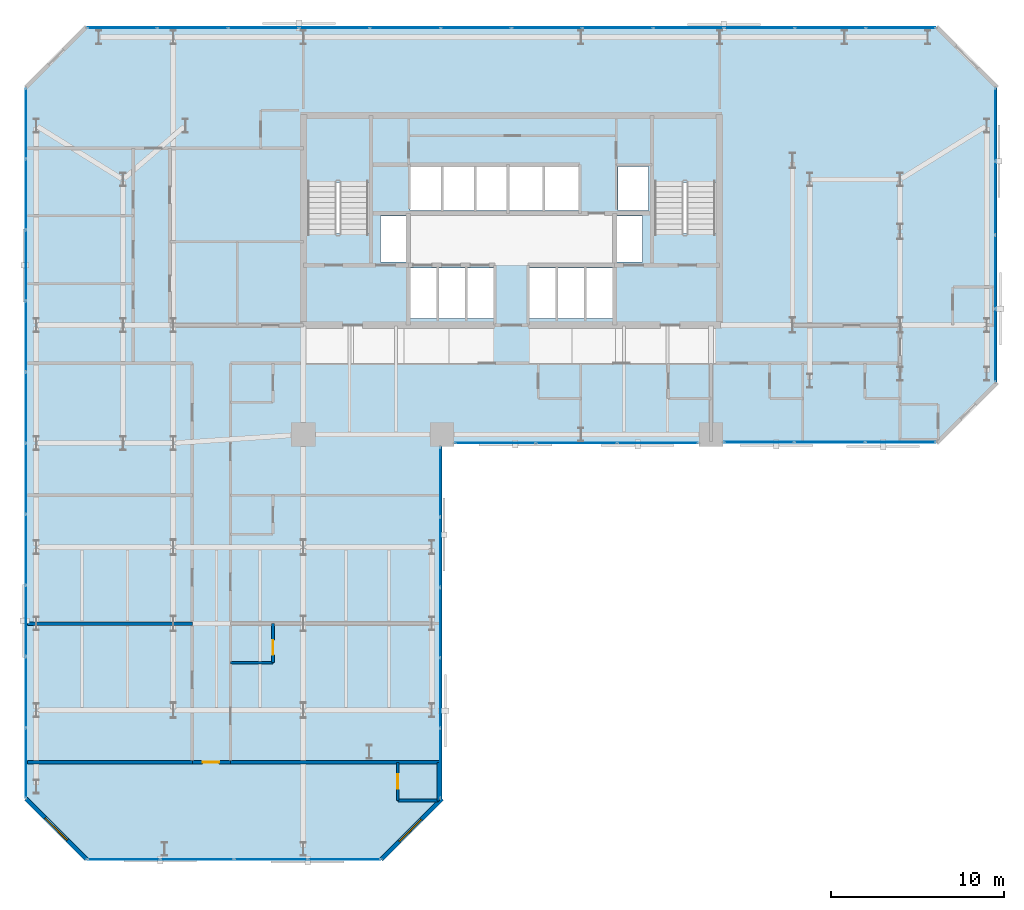
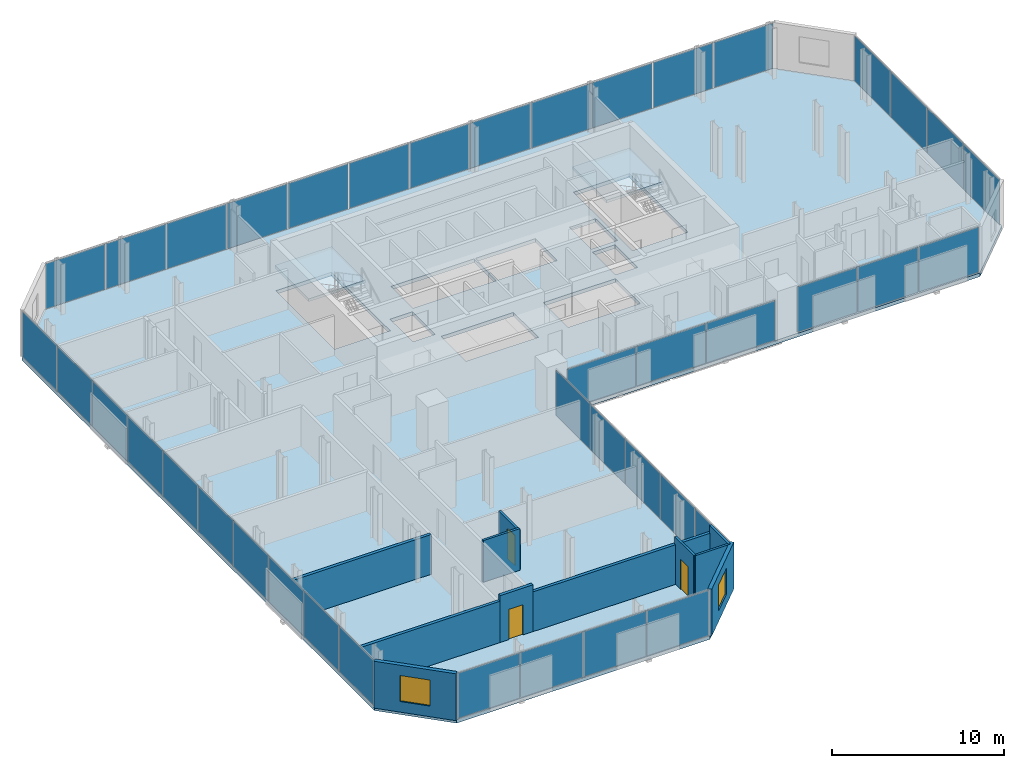
# One storey, part 28 of 33: 41 plates, 11 walls, 3 doors, 3 slabs, 2 windows, 5 openings, 9 elements without a shape of their own.
"""IFC4 building model written with IfcOpenShell, lengths in metres."""

from ifc_helpers import new_model, si_unit, direction, frame, frame_2d, origin, origin_2d, place, context, subcontext, project, spatial, polyline, rectangle, outline, extrude, material, layer, layer_set, type_object, element, fill, aggregate, save


model = new_model("IFC4")

# Units and contexts
model_context = context("Model", 3, precision=1e-05, world=origin(), true_north=direction((0.0, 1.0)))
body_context = subcontext(model_context, "Body", "Model", "MODEL_VIEW")
ifc_project = project(units=[si_unit("LENGTHUNIT", "METRE"), si_unit("AREAUNIT", "SQUARE_METRE"), si_unit("VOLUMEUNIT", "CUBIC_METRE"), si_unit("PLANEANGLEUNIT", "RADIAN"), si_unit("MASSUNIT", "GRAM", prefix="KILO")], contexts=[model_context])

# Site, building, storey
site_placement = place(None, origin())
site = spatial("IfcSite", under=ifc_project, at=site_placement, CompositionType="ELEMENT")
building_placement = place(site_placement, origin())
building = spatial("IfcBuilding", under=site, at=building_placement, Name="Catumbela Crestline Tower", CompositionType="ELEMENT")
storey_placement = place(building_placement, frame((0.0, 0.0, 58.2)))
storey = spatial("IfcBuildingStorey", under=building, at=storey_placement, Name="L14", CompositionType="ELEMENT", Elevation=58.2)

# Curtain wall, plates
ifc_material_1 = material(Name="Aluminium alloy AW-6060-T66", Category="aluminium")
ifc_layer_1 = layer(ifc_material_1, 0.18, Name="Aluminium alloy AW-6060-T66")
ifc_layer_set_1 = layer_set([ifc_layer_1], Name="Aluminium alloy AW-6060-T66")
curtain_wall_type = type_object("IfcCurtainWallType", Name="CWU-Z1", PredefinedType="USERDEFINED", material=ifc_layer_set_1)
curtain_wall_1_placement = place(storey_placement, origin())
curtain_wall_1 = element("IfcCurtainWall", 1, at=curtain_wall_1_placement, inside=storey, type_object=curtain_wall_type, Name="L14 Unitised Curtain Wall CW-L14-E0S1", ObjectType="UNITISED", PredefinedType="USERDEFINED")
ifc_material_2 = material(Name="Low-E laminated solar-control double glazing", Category="glass")
ifc_layer_2 = layer(ifc_material_2, 0.034, Name="Low-E laminated solar-control double glazing")
ifc_layer_set_2 = layer_set([ifc_layer_2], Name="Low-E laminated solar-control double glazing")
plate_type = type_object("IfcPlateType", Name="PNL-GLZ-Z1", PredefinedType="CURTAIN_PANEL", material=ifc_layer_set_2)
plate_1_placement = place(storey_placement, frame((5.6412, 0.0, 0.06), z_axis=(0.0, 0.0, 1.0), x_axis=(1.0, 0.0, 0.0)))
plate_1 = element("IfcPlate", 2, at=plate_1_placement, type_object=plate_type, Name="CWU-Z1 panel 1.1", PredefinedType="CURTAIN_PANEL", context=body_context, shape_type="SweptSolid", body=[
    extrude(rectangle(XDim=4.1525, YDim=0.034, at=origin_2d()), origin(), (0.0, 0.0, 1.0), 3.21),
])
plate_2_placement = place(storey_placement, frame((9.875, 0.0, 0.06), z_axis=(0.0, 0.0, 1.0), x_axis=(1.0, 0.0, 0.0)))
plate_2 = element("IfcPlate", 3, at=plate_2_placement, type_object=plate_type, Name="CWU-Z1 panel 2.1", PredefinedType="CURTAIN_PANEL", context=body_context, shape_type="SweptSolid", body=[
    extrude(rectangle(XDim=4.185, YDim=0.034, at=origin_2d()), origin(), (0.0, 0.0, 1.0), 3.21),
])
plate_3_placement = place(storey_placement, frame((14.125, 0.0, 0.06), z_axis=(0.0, 0.0, 1.0), x_axis=(1.0, 0.0, 0.0)))
plate_3 = element("IfcPlate", 4, at=plate_3_placement, type_object=plate_type, Name="CWU-Z1 panel 3.1", PredefinedType="CURTAIN_PANEL", context=body_context, shape_type="SweptSolid", body=[
    extrude(rectangle(XDim=4.185, YDim=0.034, at=origin_2d()), origin(), (0.0, 0.0, 1.0), 3.21),
])
plate_4_placement = place(storey_placement, frame((18.3588, 0.0, 0.06), z_axis=(0.0, 0.0, 1.0), x_axis=(1.0, 0.0, 0.0)))
plate_4 = element("IfcPlate", 5, at=plate_4_placement, type_object=plate_type, Name="CWU-Z1 panel 4.1", PredefinedType="CURTAIN_PANEL", context=body_context, shape_type="SweptSolid", body=[
    extrude(rectangle(XDim=4.1525, YDim=0.034, at=origin_2d()), origin(), (0.0, 0.0, 1.0), 3.21),
])
aggregate(curtain_wall_1, [plate_1, plate_2, plate_3, plate_4])

curtain_wall_2_placement = place(storey_placement, origin())
curtain_wall_2 = element("IfcCurtainWall", 6, at=curtain_wall_2_placement, inside=storey, type_object=curtain_wall_type, Name="L14 Unitised Curtain Wall CW-L14-E2S1", ObjectType="UNITISED", PredefinedType="USERDEFINED")
plate_5_placement = place(storey_placement, frame((23.9, 5.5462, 0.06), z_axis=(0.0, 0.0, 1.0), x_axis=(0.0, 1.0, 0.0)))
plate_5 = element("IfcPlate", 7, at=plate_5_placement, type_object=plate_type, Name="CWU-Z1 panel 1.1", PredefinedType="CURTAIN_PANEL", context=body_context, shape_type="SweptSolid", body=[
    extrude(rectangle(XDim=3.9625, YDim=0.034, at=origin_2d()), origin(), (0.0, 0.0, 1.0), 3.21),
])
plate_6_placement = place(storey_placement, frame((23.9, 9.59, 0.06), z_axis=(0.0, 0.0, 1.0), x_axis=(0.0, 1.0, 0.0)))
plate_6 = element("IfcPlate", 8, at=plate_6_placement, type_object=plate_type, Name="CWU-Z1 panel 2.1", PredefinedType="CURTAIN_PANEL", context=body_context, shape_type="SweptSolid", body=[
    extrude(rectangle(XDim=3.995, YDim=0.034, at=origin_2d()), origin(), (0.0, 0.0, 1.0), 3.21),
])
plate_7_placement = place(storey_placement, frame((23.9, 13.65, 0.06), z_axis=(0.0, 0.0, 1.0), x_axis=(0.0, 1.0, 0.0)))
plate_7 = element("IfcPlate", 9, at=plate_7_placement, type_object=plate_type, Name="CWU-Z1 panel 3.1", PredefinedType="CURTAIN_PANEL", context=body_context, shape_type="SweptSolid", body=[
    extrude(rectangle(XDim=3.995, YDim=0.034, at=origin_2d()), origin(), (0.0, 0.0, 1.0), 3.21),
])
plate_8_placement = place(storey_placement, frame((23.9, 17.71, 0.06), z_axis=(0.0, 0.0, 1.0), x_axis=(0.0, 1.0, 0.0)))
plate_8 = element("IfcPlate", 10, at=plate_8_placement, type_object=plate_type, Name="CWU-Z1 panel 4.1", PredefinedType="CURTAIN_PANEL", context=body_context, shape_type="SweptSolid", body=[
    extrude(rectangle(XDim=3.995, YDim=0.034, at=origin_2d()), origin(), (0.0, 0.0, 1.0), 3.21),
])
plate_9_placement = place(storey_placement, frame((23.9, 21.7538, 0.06), z_axis=(0.0, 0.0, 1.0), x_axis=(0.0, 1.0, 0.0)))
plate_9 = element("IfcPlate", 11, at=plate_9_placement, type_object=plate_type, Name="CWU-Z1 panel 5.1", PredefinedType="CURTAIN_PANEL", context=body_context, shape_type="SweptSolid", body=[
    extrude(rectangle(XDim=3.9625, YDim=0.034, at=origin_2d()), origin(), (0.0, 0.0, 1.0), 3.21),
])
aggregate(curtain_wall_2, [plate_5, plate_6, plate_7, plate_8, plate_9])

curtain_wall_3_placement = place(storey_placement, origin())
curtain_wall_3 = element("IfcCurtainWall", 12, at=curtain_wall_3_placement, inside=storey, type_object=curtain_wall_type, Name="L14 Unitised Curtain Wall CW-L14-E3S1", ObjectType="UNITISED", PredefinedType="USERDEFINED")
plate_10_placement = place(storey_placement, frame((27.0662, 24.0, 0.06), z_axis=(0.0, 0.0, 1.0), x_axis=(1.0, 0.0, 0.0)))
plate_10 = element("IfcPlate", 13, at=plate_10_placement, type_object=plate_type, Name="CWU-Z1 panel 1.1", PredefinedType="CURTAIN_PANEL", context=body_context, shape_type="SweptSolid", body=[
    extrude(rectangle(XDim=4.6025, YDim=0.034, at=origin_2d()), origin(), (0.0, 0.0, 1.0), 2.81),
])
plate_11_placement = place(storey_placement, frame((31.75, 24.0, 0.06), z_axis=(0.0, 0.0, 1.0), x_axis=(1.0, 0.0, 0.0)))
plate_11 = element("IfcPlate", 14, at=plate_11_placement, type_object=plate_type, Name="CWU-Z1 panel 2.1", PredefinedType="CURTAIN_PANEL", context=body_context, shape_type="SweptSolid", body=[
    extrude(rectangle(XDim=4.635, YDim=0.034, at=origin_2d()), origin(), (0.0, 0.0, 1.0), 2.81),
])
plate_12_placement = place(storey_placement, frame((36.4338, 24.0, 0.06), z_axis=(0.0, 0.0, 1.0), x_axis=(1.0, 0.0, 0.0)))
plate_12 = element("IfcPlate", 15, at=plate_12_placement, type_object=plate_type, Name="CWU-Z1 panel 3.1", PredefinedType="CURTAIN_PANEL", context=body_context, shape_type="SweptSolid", body=[
    extrude(rectangle(XDim=4.6025, YDim=0.034, at=origin_2d()), origin(), (0.0, 0.0, 1.0), 2.81),
])
aggregate(curtain_wall_3, [plate_10, plate_11, plate_12])

curtain_wall_4_placement = place(storey_placement, origin())
curtain_wall_4 = element("IfcCurtainWall", 16, at=curtain_wall_4_placement, inside=storey, type_object=curtain_wall_type, Name="L14 Unitised Curtain Wall CW-L14-E3S2", ObjectType="UNITISED", PredefinedType="USERDEFINED")
plate_13_placement = place(storey_placement, frame((42.2662, 24.05, 0.06), z_axis=(0.0, 0.0, 1.0), x_axis=(1.0, 0.0, 0.0)))
plate_13 = element("IfcPlate", 17, at=plate_13_placement, type_object=plate_type, Name="CWU-Z1 panel 1.1", PredefinedType="CURTAIN_PANEL", context=body_context, shape_type="SweptSolid", body=[
    extrude(rectangle(XDim=4.0025, YDim=0.034, at=origin_2d()), origin(), (0.0, 0.0, 1.0), 3.21),
])
plate_14_placement = place(storey_placement, frame((46.35, 24.05, 0.06), z_axis=(0.0, 0.0, 1.0), x_axis=(1.0, 0.0, 0.0)))
plate_14 = element("IfcPlate", 18, at=plate_14_placement, type_object=plate_type, Name="CWU-Z1 panel 2.1", PredefinedType="CURTAIN_PANEL", context=body_context, shape_type="SweptSolid", body=[
    extrude(rectangle(XDim=4.035, YDim=0.034, at=origin_2d()), origin(), (0.0, 0.0, 1.0), 3.21),
])
plate_15_placement = place(storey_placement, frame((50.4338, 24.05, 0.06), z_axis=(0.0, 0.0, 1.0), x_axis=(1.0, 0.0, 0.0)))
plate_15 = element("IfcPlate", 19, at=plate_15_placement, type_object=plate_type, Name="CWU-Z1 panel 3.1", PredefinedType="CURTAIN_PANEL", context=body_context, shape_type="SweptSolid", body=[
    extrude(rectangle(XDim=4.0025, YDim=0.034, at=origin_2d()), origin(), (0.0, 0.0, 1.0), 3.21),
])
aggregate(curtain_wall_4, [plate_13, plate_14, plate_15])

curtain_wall_5_placement = place(storey_placement, origin())
curtain_wall_5 = element("IfcCurtainWall", 20, at=curtain_wall_5_placement, inside=storey, type_object=curtain_wall_type, Name="L14 Unitised Curtain Wall CW-L14-E5S1", ObjectType="UNITISED", PredefinedType="USERDEFINED")
plate_16_placement = place(storey_placement, frame((55.9, 29.6412, 0.06), z_axis=(0.0, 0.0, 1.0), x_axis=(0.0, 1.0, 0.0)))
plate_16 = element("IfcPlate", 21, at=plate_16_placement, type_object=plate_type, Name="CWU-Z1 panel 1.1", PredefinedType="CURTAIN_PANEL", context=body_context, shape_type="SweptSolid", body=[
    extrude(rectangle(XDim=4.1525, YDim=0.034, at=origin_2d()), origin(), (0.0, 0.0, 1.0), 3.21),
])
plate_17_placement = place(storey_placement, frame((55.9, 33.875, 0.06), z_axis=(0.0, 0.0, 1.0), x_axis=(0.0, 1.0, 0.0)))
plate_17 = element("IfcPlate", 22, at=plate_17_placement, type_object=plate_type, Name="CWU-Z1 panel 2.1", PredefinedType="CURTAIN_PANEL", context=body_context, shape_type="SweptSolid", body=[
    extrude(rectangle(XDim=4.185, YDim=0.034, at=origin_2d()), origin(), (0.0, 0.0, 1.0), 3.21),
])
plate_18_placement = place(storey_placement, frame((55.9, 38.125, 0.06), z_axis=(0.0, 0.0, 1.0), x_axis=(0.0, 1.0, 0.0)))
plate_18 = element("IfcPlate", 23, at=plate_18_placement, type_object=plate_type, Name="CWU-Z1 panel 3.1", PredefinedType="CURTAIN_PANEL", context=body_context, shape_type="SweptSolid", body=[
    extrude(rectangle(XDim=4.185, YDim=0.034, at=origin_2d()), origin(), (0.0, 0.0, 1.0), 3.21),
])
plate_19_placement = place(storey_placement, frame((55.9, 42.3588, 0.06), z_axis=(0.0, 0.0, 1.0), x_axis=(0.0, 1.0, 0.0)))
plate_19 = element("IfcPlate", 24, at=plate_19_placement, type_object=plate_type, Name="CWU-Z1 panel 4.1", PredefinedType="CURTAIN_PANEL", context=body_context, shape_type="SweptSolid", body=[
    extrude(rectangle(XDim=4.1525, YDim=0.034, at=origin_2d()), origin(), (0.0, 0.0, 1.0), 3.21),
])
aggregate(curtain_wall_5, [plate_16, plate_17, plate_18, plate_19])

curtain_wall_6_placement = place(storey_placement, origin())
curtain_wall_6 = element("IfcCurtainWall", 25, at=curtain_wall_6_placement, inside=storey, type_object=curtain_wall_type, Name="L14 Unitised Curtain Wall CW-L14-E7S1", ObjectType="UNITISED", PredefinedType="USERDEFINED")
plate_20_placement = place(storey_placement, frame((50.4421, 47.95, 0.06), z_axis=(0.0, 0.0, 1.0), x_axis=(-1.0, 0.0, 0.0)))
plate_20 = element("IfcPlate", 26, at=plate_20_placement, type_object=plate_type, Name="CWU-Z1 panel 1.1", PredefinedType="CURTAIN_PANEL", context=body_context, shape_type="SweptSolid", body=[
    extrude(rectangle(XDim=3.9858, YDim=0.034, at=origin_2d()), origin(), (0.0, 0.0, 1.0), 3.21),
])
plate_21_placement = place(storey_placement, frame((46.375, 47.95, 0.06), z_axis=(0.0, 0.0, 1.0), x_axis=(-1.0, 0.0, 0.0)))
plate_21 = element("IfcPlate", 27, at=plate_21_placement, type_object=plate_type, Name="CWU-Z1 panel 2.1", PredefinedType="CURTAIN_PANEL", context=body_context, shape_type="SweptSolid", body=[
    extrude(rectangle(XDim=4.0183, YDim=0.034, at=origin_2d()), origin(), (0.0, 0.0, 1.0), 3.21),
])
plate_22_placement = place(storey_placement, frame((42.2917, 47.95, 0.06), z_axis=(0.0, 0.0, 1.0), x_axis=(-1.0, 0.0, 0.0)))
plate_22 = element("IfcPlate", 28, at=plate_22_placement, type_object=plate_type, Name="CWU-Z1 panel 3.1", PredefinedType="CURTAIN_PANEL", context=body_context, shape_type="SweptSolid", body=[
    extrude(rectangle(XDim=4.0183, YDim=0.034, at=origin_2d()), origin(), (0.0, 0.0, 1.0), 3.21),
])
plate_23_placement = place(storey_placement, frame((38.2083, 47.95, 0.06), z_axis=(0.0, 0.0, 1.0), x_axis=(-1.0, 0.0, 0.0)))
plate_23 = element("IfcPlate", 29, at=plate_23_placement, type_object=plate_type, Name="CWU-Z1 panel 4.1", PredefinedType="CURTAIN_PANEL", context=body_context, shape_type="SweptSolid", body=[
    extrude(rectangle(XDim=4.0183, YDim=0.034, at=origin_2d()), origin(), (0.0, 0.0, 1.0), 3.21),
])
plate_24_placement = place(storey_placement, frame((34.125, 47.95, 0.06), z_axis=(0.0, 0.0, 1.0), x_axis=(-1.0, 0.0, 0.0)))
plate_24 = element("IfcPlate", 30, at=plate_24_placement, type_object=plate_type, Name="CWU-Z1 panel 5.1", PredefinedType="CURTAIN_PANEL", context=body_context, shape_type="SweptSolid", body=[
    extrude(rectangle(XDim=4.0183, YDim=0.034, at=origin_2d()), origin(), (0.0, 0.0, 1.0), 3.21),
])
plate_25_placement = place(storey_placement, frame((30.0417, 47.95, 0.06), z_axis=(0.0, 0.0, 1.0), x_axis=(-1.0, 0.0, 0.0)))
plate_25 = element("IfcPlate", 31, at=plate_25_placement, type_object=plate_type, Name="CWU-Z1 panel 6.1", PredefinedType="CURTAIN_PANEL", context=body_context, shape_type="SweptSolid", body=[
    extrude(rectangle(XDim=4.0183, YDim=0.034, at=origin_2d()), origin(), (0.0, 0.0, 1.0), 3.21),
])
plate_26_placement = place(storey_placement, frame((25.9583, 47.95, 0.06), z_axis=(0.0, 0.0, 1.0), x_axis=(-1.0, 0.0, 0.0)))
plate_26 = element("IfcPlate", 32, at=plate_26_placement, type_object=plate_type, Name="CWU-Z1 panel 7.1", PredefinedType="CURTAIN_PANEL", context=body_context, shape_type="SweptSolid", body=[
    extrude(rectangle(XDim=4.0183, YDim=0.034, at=origin_2d()), origin(), (0.0, 0.0, 1.0), 3.21),
])
plate_27_placement = place(storey_placement, frame((21.875, 47.95, 0.06), z_axis=(0.0, 0.0, 1.0), x_axis=(-1.0, 0.0, 0.0)))
plate_27 = element("IfcPlate", 33, at=plate_27_placement, type_object=plate_type, Name="CWU-Z1 panel 8.1", PredefinedType="CURTAIN_PANEL", context=body_context, shape_type="SweptSolid", body=[
    extrude(rectangle(XDim=4.0183, YDim=0.034, at=origin_2d()), origin(), (0.0, 0.0, 1.0), 3.21),
])
plate_28_placement = place(storey_placement, frame((17.7917, 47.95, 0.06), z_axis=(0.0, 0.0, 1.0), x_axis=(-1.0, 0.0, 0.0)))
plate_28 = element("IfcPlate", 34, at=plate_28_placement, type_object=plate_type, Name="CWU-Z1 panel 9.1", PredefinedType="CURTAIN_PANEL", context=body_context, shape_type="SweptSolid", body=[
    extrude(rectangle(XDim=4.0183, YDim=0.034, at=origin_2d()), origin(), (0.0, 0.0, 1.0), 3.21),
])
plate_29_placement = place(storey_placement, frame((13.7083, 47.95, 0.06), z_axis=(0.0, 0.0, 1.0), x_axis=(-1.0, 0.0, 0.0)))
plate_29 = element("IfcPlate", 35, at=plate_29_placement, type_object=plate_type, Name="CWU-Z1 panel 10.1", PredefinedType="CURTAIN_PANEL", context=body_context, shape_type="SweptSolid", body=[
    extrude(rectangle(XDim=4.0183, YDim=0.034, at=origin_2d()), origin(), (0.0, 0.0, 1.0), 3.21),
])
plate_30_placement = place(storey_placement, frame((9.625, 47.95, 0.06), z_axis=(0.0, 0.0, 1.0), x_axis=(-1.0, 0.0, 0.0)))
plate_30 = element("IfcPlate", 36, at=plate_30_placement, type_object=plate_type, Name="CWU-Z1 panel 11.1", PredefinedType="CURTAIN_PANEL", context=body_context, shape_type="SweptSolid", body=[
    extrude(rectangle(XDim=4.0183, YDim=0.034, at=origin_2d()), origin(), (0.0, 0.0, 1.0), 3.21),
])
plate_31_placement = place(storey_placement, frame((5.5579, 47.95, 0.06), z_axis=(0.0, 0.0, 1.0), x_axis=(-1.0, 0.0, 0.0)))
plate_31 = element("IfcPlate", 37, at=plate_31_placement, type_object=plate_type, Name="CWU-Z1 panel 12.1", PredefinedType="CURTAIN_PANEL", context=body_context, shape_type="SweptSolid", body=[
    extrude(rectangle(XDim=3.9858, YDim=0.034, at=origin_2d()), origin(), (0.0, 0.0, 1.0), 3.21),
])
aggregate(curtain_wall_6, [plate_20, plate_21, plate_22, plate_23, plate_24, plate_25, plate_26, plate_27, plate_28, plate_29, plate_30, plate_31])

curtain_wall_7_placement = place(storey_placement, origin())
curtain_wall_7 = element("IfcCurtainWall", 38, at=curtain_wall_7_placement, inside=storey, type_object=curtain_wall_type, Name="L14 Unitised Curtain Wall CW-L14-E9S1", ObjectType="UNITISED", PredefinedType="USERDEFINED")
plate_32_placement = place(storey_placement, frame((0.0, 42.4338, 0.06), z_axis=(0.0, 0.0, 1.0), x_axis=(0.0, -1.0, 0.0)))
plate_32 = element("IfcPlate", 39, at=plate_32_placement, type_object=plate_type, Name="CWU-Z1 panel 1.1", PredefinedType="CURTAIN_PANEL", context=body_context, shape_type="SweptSolid", body=[
    extrude(rectangle(XDim=4.0025, YDim=0.034, at=origin_2d()), origin(), (0.0, 0.0, 1.0), 3.21),
])
plate_33_placement = place(storey_placement, frame((0.0, 38.35, 0.06), z_axis=(0.0, 0.0, 1.0), x_axis=(0.0, -1.0, 0.0)))
plate_33 = element("IfcPlate", 40, at=plate_33_placement, type_object=plate_type, Name="CWU-Z1 panel 2.1", PredefinedType="CURTAIN_PANEL", context=body_context, shape_type="SweptSolid", body=[
    extrude(rectangle(XDim=4.035, YDim=0.034, at=origin_2d()), origin(), (0.0, 0.0, 1.0), 3.21),
])
plate_34_placement = place(storey_placement, frame((0.0, 34.25, 0.06), z_axis=(0.0, 0.0, 1.0), x_axis=(0.0, -1.0, 0.0)))
plate_34 = element("IfcPlate", 41, at=plate_34_placement, type_object=plate_type, Name="CWU-Z1 panel 3.1", PredefinedType="CURTAIN_PANEL", context=body_context, shape_type="SweptSolid", body=[
    extrude(rectangle(XDim=4.035, YDim=0.034, at=origin_2d()), origin(), (0.0, 0.0, 1.0), 3.21),
])
plate_35_placement = place(storey_placement, frame((0.0, 30.15, 0.06), z_axis=(0.0, 0.0, 1.0), x_axis=(0.0, -1.0, 0.0)))
plate_35 = element("IfcPlate", 42, at=plate_35_placement, type_object=plate_type, Name="CWU-Z1 panel 4.1", PredefinedType="CURTAIN_PANEL", context=body_context, shape_type="SweptSolid", body=[
    extrude(rectangle(XDim=4.035, YDim=0.034, at=origin_2d()), origin(), (0.0, 0.0, 1.0), 3.21),
])
plate_36_placement = place(storey_placement, frame((0.0, 26.05, 0.06), z_axis=(0.0, 0.0, 1.0), x_axis=(0.0, -1.0, 0.0)))
plate_36 = element("IfcPlate", 43, at=plate_36_placement, type_object=plate_type, Name="CWU-Z1 panel 5.1", PredefinedType="CURTAIN_PANEL", context=body_context, shape_type="SweptSolid", body=[
    extrude(rectangle(XDim=4.035, YDim=0.034, at=origin_2d()), origin(), (0.0, 0.0, 1.0), 3.21),
])
plate_37_placement = place(storey_placement, frame((0.0, 21.95, 0.06), z_axis=(0.0, 0.0, 1.0), x_axis=(0.0, -1.0, 0.0)))
plate_37 = element("IfcPlate", 44, at=plate_37_placement, type_object=plate_type, Name="CWU-Z1 panel 6.1", PredefinedType="CURTAIN_PANEL", context=body_context, shape_type="SweptSolid", body=[
    extrude(rectangle(XDim=4.035, YDim=0.034, at=origin_2d()), origin(), (0.0, 0.0, 1.0), 3.21),
])
plate_38_placement = place(storey_placement, frame((0.0, 17.85, 0.06), z_axis=(0.0, 0.0, 1.0), x_axis=(0.0, -1.0, 0.0)))
plate_38 = element("IfcPlate", 45, at=plate_38_placement, type_object=plate_type, Name="CWU-Z1 panel 7.1", PredefinedType="CURTAIN_PANEL", context=body_context, shape_type="SweptSolid", body=[
    extrude(rectangle(XDim=4.035, YDim=0.034, at=origin_2d()), origin(), (0.0, 0.0, 1.0), 3.21),
])
plate_39_placement = place(storey_placement, frame((0.0, 13.75, 0.06), z_axis=(0.0, 0.0, 1.0), x_axis=(0.0, -1.0, 0.0)))
plate_39 = element("IfcPlate", 46, at=plate_39_placement, type_object=plate_type, Name="CWU-Z1 panel 8.1", PredefinedType="CURTAIN_PANEL", context=body_context, shape_type="SweptSolid", body=[
    extrude(rectangle(XDim=4.035, YDim=0.034, at=origin_2d()), origin(), (0.0, 0.0, 1.0), 3.21),
])
plate_40_placement = place(storey_placement, frame((0.0, 9.65, 0.06), z_axis=(0.0, 0.0, 1.0), x_axis=(0.0, -1.0, 0.0)))
plate_40 = element("IfcPlate", 47, at=plate_40_placement, type_object=plate_type, Name="CWU-Z1 panel 9.1", PredefinedType="CURTAIN_PANEL", context=body_context, shape_type="SweptSolid", body=[
    extrude(rectangle(XDim=4.035, YDim=0.034, at=origin_2d()), origin(), (0.0, 0.0, 1.0), 3.21),
])
plate_41_placement = place(storey_placement, frame((0.0, 5.5662, 0.06), z_axis=(0.0, 0.0, 1.0), x_axis=(0.0, -1.0, 0.0)))
plate_41 = element("IfcPlate", 48, at=plate_41_placement, type_object=plate_type, Name="CWU-Z1 panel 10.1", PredefinedType="CURTAIN_PANEL", context=body_context, shape_type="SweptSolid", body=[
    extrude(rectangle(XDim=4.0025, YDim=0.034, at=origin_2d()), origin(), (0.0, 0.0, 1.0), 3.21),
])
aggregate(curtain_wall_7, [plate_32, plate_33, plate_34, plate_35, plate_36, plate_37, plate_38, plate_39, plate_40, plate_41])

# Stair, slab
ifc_material_3 = material(Name="Concrete C45/55", Category="concrete")
stair_type = type_object("IfcStairType", Name="ST-DLG", PredefinedType="HALF_TURN_STAIR", material=ifc_material_3)
stair_1_placement = place(storey_placement, origin())
stair_1 = element("IfcStair", 49, at=stair_1_placement, inside=storey, type_object=stair_type, Name="L14 West Core Pressurised Exit Stair ST-01", PredefinedType="HALF_TURN_STAIR")
ifc_layer_3 = layer(ifc_material_3, 0.2, Name="Concrete C45/55")
ifc_layer_set_3 = layer_set([ifc_layer_3], Name="Concrete C45/55")
slab_type_1 = type_object("IfcSlabType", Name="SL-LND", PredefinedType="LANDING", material=ifc_layer_set_3)
slab_1_placement = place(storey_placement, frame((0.0, 0.0, 1.6)))
slab_1 = element("IfcSlab", 50, at=slab_1_placement, type_object=slab_type_1, Name="ST-01 landing 1", PredefinedType="LANDING", context=body_context, shape_type="SweptSolid", body=[
    extrude(outline(polyline([(19.91, 39.02), (19.91, 42.96), (16.09, 42.96), (16.09, 39.02), (19.91, 39.02)])), origin(), (0.0, 0.0, 1.0), 0.2),
])
aggregate(stair_1, [slab_1])

stair_2_placement = place(storey_placement, origin())
stair_2 = element("IfcStair", 51, at=stair_2_placement, inside=storey, type_object=stair_type, Name="L14 East Core Pressurised Exit Stair ST-02", PredefinedType="HALF_TURN_STAIR")
slab_2_placement = place(storey_placement, frame((0.0, 0.0, 1.6)))
slab_2 = element("IfcSlab", 52, at=slab_2_placement, type_object=slab_type_1, Name="ST-02 landing 1", PredefinedType="LANDING", context=body_context, shape_type="SweptSolid", body=[
    extrude(outline(polyline([(39.91, 39.02), (39.91, 42.96), (36.09, 42.96), (36.09, 39.02), (39.91, 39.02)])), origin(), (0.0, 0.0, 1.0), 0.2),
])
aggregate(stair_2, [slab_2])

# Slab
ifc_layer_4 = layer(ifc_material_3, 0.26, Name="Concrete C45/55")
ifc_layer_set_4 = layer_set([ifc_layer_4], Name="Concrete C45/55")
slab_type_2 = type_object("IfcSlabType", Name="SL-260", PredefinedType="FLOOR", material=ifc_layer_set_4)
slab_3_placement = place(storey_placement, frame((0.0, 0.0, -0.26)))
element("IfcSlab", 53, at=slab_3_placement, inside=storey, type_object=slab_type_2, Name="L14 Structural Floor Slab", PredefinedType="FLOOR", context=body_context, shape_type="SweptSolid", body=[
    extrude(outline(polyline([(3.5, 0.0), (20.5, 0.0), (24.0, 3.5), (24.0, 24.0), (52.5, 24.0), (56.0, 27.5), (56.0, 44.5), (52.5, 48.0), (3.5, 48.0), (0.0, 44.5), (0.0, 3.5), (3.5, 0.0)]), holes=[polyline([(16.13, 36.08), (19.87, 36.08), (19.87, 42.92), (16.13, 42.92), (16.13, 36.08)]), polyline([(36.13, 36.08), (39.87, 36.08), (39.87, 42.92), (36.13, 42.92), (36.13, 36.08)]), polyline([(22.15, 31.2), (27.0, 31.2), (27.0, 34.1), (22.15, 34.1), (22.15, 31.2)]), polyline([(29.0, 31.2), (33.85, 31.2), (33.85, 34.1), (29.0, 34.1), (29.0, 31.2)]), polyline([(22.15, 37.4), (27.75, 37.4), (27.75, 39.95), (22.15, 39.95), (22.15, 37.4)]), polyline([(27.85, 37.4), (31.85, 37.4), (31.85, 39.95), (27.85, 39.95), (27.85, 37.4)]), polyline([(20.45, 34.45), (21.95, 34.45), (21.95, 37.1), (20.45, 37.1), (20.45, 34.45)]), polyline([(34.05, 34.45), (35.55, 34.45), (35.55, 37.1), (34.05, 37.1), (34.05, 34.45)]), polyline([(34.15, 37.4), (35.9, 37.4), (35.9, 39.95), (34.15, 39.95), (34.15, 37.4)])]), origin(), (0.0, 0.0, 1.0), 0.26),
])

# Wall, opening, door
ifc_material_4 = material(Name="Acoustic gypsum and mineral-wool partition")
ifc_layer_5 = layer(ifc_material_4, 0.2, Name="Acoustic gypsum and mineral-wool partition")
ifc_layer_set_5 = layer_set([ifc_layer_5], Name="Acoustic gypsum and mineral-wool partition")
wall_type_1 = type_object("IfcWallType", Name="WC-200", PredefinedType="PARTITIONING", material=ifc_layer_set_5)
wall_1_placement = place(storey_placement, frame((9.6, 5.6, 0.0), z_axis=(0.0, 0.0, 1.0), x_axis=(1.0, 0.0, 0.0)))
wall_1 = element("IfcWall", 54, at=wall_1_placement, inside=storey, type_object=wall_type_1, Name="L14 Interior Partition PW-L14-WTIP-ENT", PredefinedType="PARTITIONING", context=body_context, shape_type="SweptSolid", body=[
    extrude(rectangle(XDim=2.2, YDim=0.2, at=frame_2d((1.1, 0.0))), origin(), (0.0, 0.0, 1.0), 3.33),
])
opening_1_placement = place(wall_1_placement, frame((0.5925, 0.0, 0.0)))
opening_1 = element("IfcOpeningElement", 55, at=opening_1_placement, cuts=wall_1, Name="Opening DF6-095", PredefinedType="OPENING", context=body_context, shape_type="SweptSolid", body=[
    extrude(rectangle(XDim=0.95, YDim=2.15, at=frame_2d((0.475, 1.075))), frame((0.0, 0.11, 0.0), z_axis=(0.0, -1.0, 0.0), x_axis=(1.0, 0.0, 0.0)), (0.0, 0.0, 1.0), 0.22),
])
door_type_1 = type_object("IfcDoorType", Name="DF6-095", OperationType="NOTDEFINED", PredefinedType="DOOR", material=ifc_material_1)
door_1_placement = place(opening_1_placement, origin())
door_1 = element("IfcDoor", 56, at=door_1_placement, inside=storey, type_object=door_type_1, Name="L14 Interior Door DR-L14-WTIP-ENT", OperationType="SINGLE_SWING_LEFT", OverallHeight=2.15, OverallWidth=0.95, PredefinedType="DOOR", context=body_context, shape_type="SweptSolid", body=[
    extrude(rectangle(XDim=0.95, YDim=2.15, at=frame_2d((0.475, 1.075))), frame((0.0, 0.025, 0.0), z_axis=(0.0, -1.0, 0.0), x_axis=(1.0, 0.0, 0.0)), (0.0, 0.0, 1.0), 0.05),
])
fill(opening_1, door_1)

# Wall, opening, window
ifc_material_5 = material(Name="Angolan grey-ochre granite", Category="masonry")
ifc_layer_6 = layer(ifc_material_5, 0.25, Name="Angolan grey-ochre granite")
ifc_layer_set_6 = layer_set([ifc_layer_6], Name="Angolan grey-ochre granite")
wall_type_2 = type_object("IfcWallType", Name="WE-250", PredefinedType="STANDARD", material=ifc_layer_set_6)
wall_2_placement = place(storey_placement, frame((20.5, 0.0, 0.0), z_axis=(0.0, 0.0, 1.0), x_axis=(0.707106781187, 0.707106781187, 0.0)))
wall_2 = element("IfcWall", 57, at=wall_2_placement, inside=storey, type_object=wall_type_2, Name="L14 Granite Punched Window Wall 1-1", PredefinedType="STANDARD", context=body_context, shape_type="SweptSolid", body=[
    extrude(rectangle(XDim=4.9497, YDim=0.25, at=frame_2d((2.4748, 0.0))), origin(), (0.0, 0.0, 1.0), 3.33),
])
opening_2_placement = place(wall_2_placement, frame((1.4647, 0.0, 0.75)))
opening_2 = element("IfcOpeningElement", 58, at=opening_2_placement, cuts=wall_2, Name="Opening WN-01", PredefinedType="OPENING", context=body_context, shape_type="SweptSolid", body=[
    extrude(rectangle(XDim=1.8, YDim=1.85, at=frame_2d((0.9, 0.925))), frame((0.0, 0.135, 0.0), z_axis=(0.0, -1.0, 0.0), x_axis=(1.0, 0.0, 0.0)), (0.0, 0.0, 1.0), 0.27),
])
window_type = type_object("IfcWindowType", Name="WF-1800", PartitioningType="SINGLE_PANEL", PredefinedType="WINDOW", material=ifc_material_2)
window_1_placement = place(opening_2_placement, origin())
window_1 = element("IfcWindow", 59, at=window_1_placement, inside=storey, type_object=window_type, Name="L14 Facade Vision Window 93", OverallHeight=1.85, OverallWidth=1.8, PartitioningType="SINGLE_PANEL", PredefinedType="WINDOW", context=body_context, shape_type="SweptSolid", body=[
    extrude(rectangle(XDim=1.8, YDim=1.85, at=frame_2d((0.9, 0.925))), frame((0.0, 0.03, 0.0), z_axis=(0.0, -1.0, 0.0), x_axis=(1.0, 0.0, 0.0)), (0.0, 0.0, 1.0), 0.06),
])
fill(opening_2, window_1)

wall_3_placement = place(storey_placement, frame((0.0, 3.5, 0.0), z_axis=(0.0, 0.0, 1.0), x_axis=(0.707106781187, -0.707106781187, 0.0)))
wall_3 = element("IfcWall", 60, at=wall_3_placement, inside=storey, type_object=wall_type_2, Name="L14 Granite Punched Window Wall 10-1", PredefinedType="STANDARD", context=body_context, shape_type="SweptSolid", body=[
    extrude(rectangle(XDim=4.9497, YDim=0.25, at=frame_2d((2.4748, 0.0))), origin(), (0.0, 0.0, 1.0), 3.33),
])
opening_3_placement = place(wall_3_placement, frame((1.5749, 0.0, 0.75)))
opening_3 = element("IfcOpeningElement", 61, at=opening_3_placement, cuts=wall_3, Name="Opening WN-01", PredefinedType="OPENING", context=body_context, shape_type="SweptSolid", body=[
    extrude(rectangle(XDim=1.8, YDim=1.85, at=frame_2d((0.9, 0.925))), frame((0.0, 0.135, 0.0), z_axis=(0.0, -1.0, 0.0), x_axis=(1.0, 0.0, 0.0)), (0.0, 0.0, 1.0), 0.27),
])
window_2_placement = place(opening_3_placement, origin())
window_2 = element("IfcWindow", 62, at=window_2_placement, inside=storey, type_object=window_type, Name="L14 Facade Vision Window 97", OverallHeight=1.85, OverallWidth=1.8, PartitioningType="SINGLE_PANEL", PredefinedType="WINDOW", context=body_context, shape_type="SweptSolid", body=[
    extrude(rectangle(XDim=1.8, YDim=1.85, at=frame_2d((0.9, 0.925))), frame((0.0, 0.03, 0.0), z_axis=(0.0, -1.0, 0.0), x_axis=(1.0, 0.0, 0.0)), (0.0, 0.0, 1.0), 0.06),
])
fill(opening_3, window_2)

# Wall
ifc_layer_7 = layer(ifc_material_4, 0.15, Name="Acoustic gypsum and mineral-wool partition")
ifc_layer_set_7 = layer_set([ifc_layer_7], Name="Acoustic gypsum and mineral-wool partition")
wall_type_3 = type_object("IfcWallType", Name="WP-150", PredefinedType="PARTITIONING", material=ifc_layer_set_7)
wall_4_placement = place(storey_placement, frame((21.45, 3.4, 0.0), z_axis=(0.0, 0.0, 1.0), x_axis=(1.0, 0.0, 0.0)))
element("IfcWall", 63, at=wall_4_placement, inside=storey, type_object=wall_type_3, Name="L14 Interior Partition PW-L14-WTIP-BHW", PredefinedType="PARTITIONING", context=body_context, shape_type="SweptSolid", body=[
    extrude(rectangle(XDim=2.35, YDim=0.15, at=frame_2d((1.175, 0.0))), origin(), (0.0, 0.0, 1.0), 3.33),
])

# Wall, opening, door
wall_5_placement = place(storey_placement, frame((21.45, 3.4, 0.0), z_axis=(0.0, 0.0, 1.0), x_axis=(0.0, 1.0, 0.0)))
wall_5 = element("IfcWall", 64, at=wall_5_placement, inside=storey, type_object=wall_type_3, Name="L14 Interior Partition PW-L14-WTIP-BWW", PredefinedType="PARTITIONING", context=body_context, shape_type="SweptSolid", body=[
    extrude(rectangle(XDim=2.2, YDim=0.15, at=frame_2d((1.1, 0.0))), origin(), (0.0, 0.0, 1.0), 3.33),
])
opening_4_placement = place(wall_5_placement, frame((0.675, 0.0, 0.0)))
opening_4 = element("IfcOpeningElement", 65, at=opening_4_placement, cuts=wall_5, Name="Opening DI-085", PredefinedType="OPENING", context=body_context, shape_type="SweptSolid", body=[
    extrude(rectangle(XDim=0.85, YDim=2.15, at=frame_2d((0.425, 1.075))), frame((0.0, 0.085, 0.0), z_axis=(0.0, -1.0, 0.0), x_axis=(1.0, 0.0, 0.0)), (0.0, 0.0, 1.0), 0.17),
])
door_type_2 = type_object("IfcDoorType", Name="DI-085", OperationType="NOTDEFINED", PredefinedType="DOOR", material=ifc_material_1)
door_2_placement = place(opening_4_placement, origin())
door_2 = element("IfcDoor", 66, at=door_2_placement, inside=storey, type_object=door_type_2, Name="L14 Interior Door DR-L14-WTIP-BTH", OperationType="SINGLE_SWING_RIGHT", OverallHeight=2.15, OverallWidth=0.85, PredefinedType="DOOR", context=body_context, shape_type="SweptSolid", body=[
    extrude(rectangle(XDim=0.85, YDim=2.15, at=frame_2d((0.425, 1.075))), frame((0.0, 0.025, 0.0), z_axis=(0.0, -1.0, 0.0), x_axis=(1.0, 0.0, 0.0)), (0.0, 0.0, 1.0), 0.05),
])
fill(opening_4, door_2)

# Walls
wall_6_placement = place(storey_placement, frame((23.78, 5.6, 0.0), z_axis=(0.0, 0.0, 1.0), x_axis=(0.0, -1.0, 0.0)))
element("IfcWall", 67, at=wall_6_placement, inside=storey, type_object=wall_type_3, Name="L14 Interior Partition PW-L14-WTIP-BCL-2", PredefinedType="PARTITIONING", context=body_context, shape_type="SweptSolid", body=[
    extrude(rectangle(XDim=2.22, YDim=0.15, at=frame_2d((1.11, 0.0))), origin(), (0.0, 0.0, 1.0), 3.33),
])
wall_7_placement = place(storey_placement, frame((11.8, 11.35, 0.0), z_axis=(0.0, 0.0, 1.0), x_axis=(1.0, 0.0, 0.0)))
element("IfcWall", 68, at=wall_7_placement, inside=storey, type_object=wall_type_3, Name="L14 Interior Partition PW-L14-WR1-BSW", PredefinedType="PARTITIONING", context=body_context, shape_type="SweptSolid", body=[
    extrude(rectangle(XDim=2.45, YDim=0.15, at=frame_2d((1.225, 0.0))), origin(), (0.0, 0.0, 1.0), 2.96),
])

# Wall, opening, door
wall_8_placement = place(storey_placement, frame((14.25, 11.35, 0.0), z_axis=(0.0, 0.0, 1.0), x_axis=(0.0, 1.0, 0.0)))
wall_8 = element("IfcWall", 69, at=wall_8_placement, inside=storey, type_object=wall_type_3, Name="L14 Interior Partition PW-L14-WR1-BEW", PredefinedType="PARTITIONING", context=body_context, shape_type="SweptSolid", body=[
    extrude(rectangle(XDim=2.25, YDim=0.15, at=frame_2d((1.125, 0.0))), origin(), (0.0, 0.0, 1.0), 2.82),
])
opening_5_placement = place(wall_8_placement, frame((0.4444, 0.0, 0.0)))
opening_5 = element("IfcOpeningElement", 70, at=opening_5_placement, cuts=wall_8, Name="Opening DI-085", PredefinedType="OPENING", context=body_context, shape_type="SweptSolid", body=[
    extrude(rectangle(XDim=0.85, YDim=2.15, at=frame_2d((0.425, 1.075))), frame((0.0, 0.085, 0.0), z_axis=(0.0, -1.0, 0.0), x_axis=(1.0, 0.0, 0.0)), (0.0, 0.0, 1.0), 0.17),
])
door_3_placement = place(opening_5_placement, origin())
door_3 = element("IfcDoor", 71, at=door_3_placement, inside=storey, type_object=door_type_2, Name="L14 Interior Door DR-L14-WR1-BTH", OperationType="SINGLE_SWING_LEFT", OverallHeight=2.15, OverallWidth=0.85, PredefinedType="DOOR", context=body_context, shape_type="SweptSolid", body=[
    extrude(rectangle(XDim=0.85, YDim=2.15, at=frame_2d((0.425, 1.075))), frame((0.0, 0.025, 0.0), z_axis=(0.0, -1.0, 0.0), x_axis=(1.0, 0.0, 0.0)), (0.0, 0.0, 1.0), 0.05),
])
fill(opening_5, door_3)

# Walls
ifc_layer_8 = layer(ifc_material_4, 0.2, Name="Acoustic gypsum and mineral-wool partition")
ifc_layer_set_8 = layer_set([ifc_layer_8], Name="Acoustic gypsum and mineral-wool partition")
wall_type_4 = type_object("IfcWallType", Name="WY-200", PredefinedType="PARTITIONING", material=ifc_layer_set_8)
wall_9_placement = place(storey_placement, frame((0.1, 5.6, 0.0), z_axis=(0.0, 0.0, 1.0), x_axis=(1.0, 0.0, 0.0)))
element("IfcWall", 72, at=wall_9_placement, inside=storey, type_object=wall_type_4, Name="L14 Interior Partition PW-L14-WTIP-WL", PredefinedType="PARTITIONING", context=body_context, shape_type="SweptSolid", body=[
    extrude(rectangle(XDim=9.5, YDim=0.2, at=frame_2d((4.75, 0.0))), origin(), (0.0, 0.0, 1.0), 2.93),
])
wall_10_placement = place(storey_placement, frame((11.8, 5.6, 0.0), z_axis=(0.0, 0.0, 1.0), x_axis=(1.0, 0.0, 0.0)))
element("IfcWall", 73, at=wall_10_placement, inside=storey, type_object=wall_type_4, Name="L14 Interior Partition PW-L14-WTIP-WR", PredefinedType="PARTITIONING", context=body_context, shape_type="SweptSolid", body=[
    extrude(rectangle(XDim=12.1, YDim=0.2, at=frame_2d((6.05, 0.0))), origin(), (0.0, 0.0, 1.0), 2.82),
])
wall_11_placement = place(storey_placement, frame((0.1, 13.6, 0.0), z_axis=(0.0, 0.0, 1.0), x_axis=(1.0, 0.0, 0.0)))
element("IfcWall", 74, at=wall_11_placement, inside=storey, type_object=wall_type_4, Name="L14 Interior Partition PW-L14-WGLP-2", PredefinedType="PARTITIONING", context=body_context, shape_type="SweptSolid", body=[
    extrude(rectangle(XDim=9.5, YDim=0.2, at=frame_2d((4.75, 0.0))), origin(), (0.0, 0.0, 1.0), 2.82),
])

save(model, "model.ifc")
